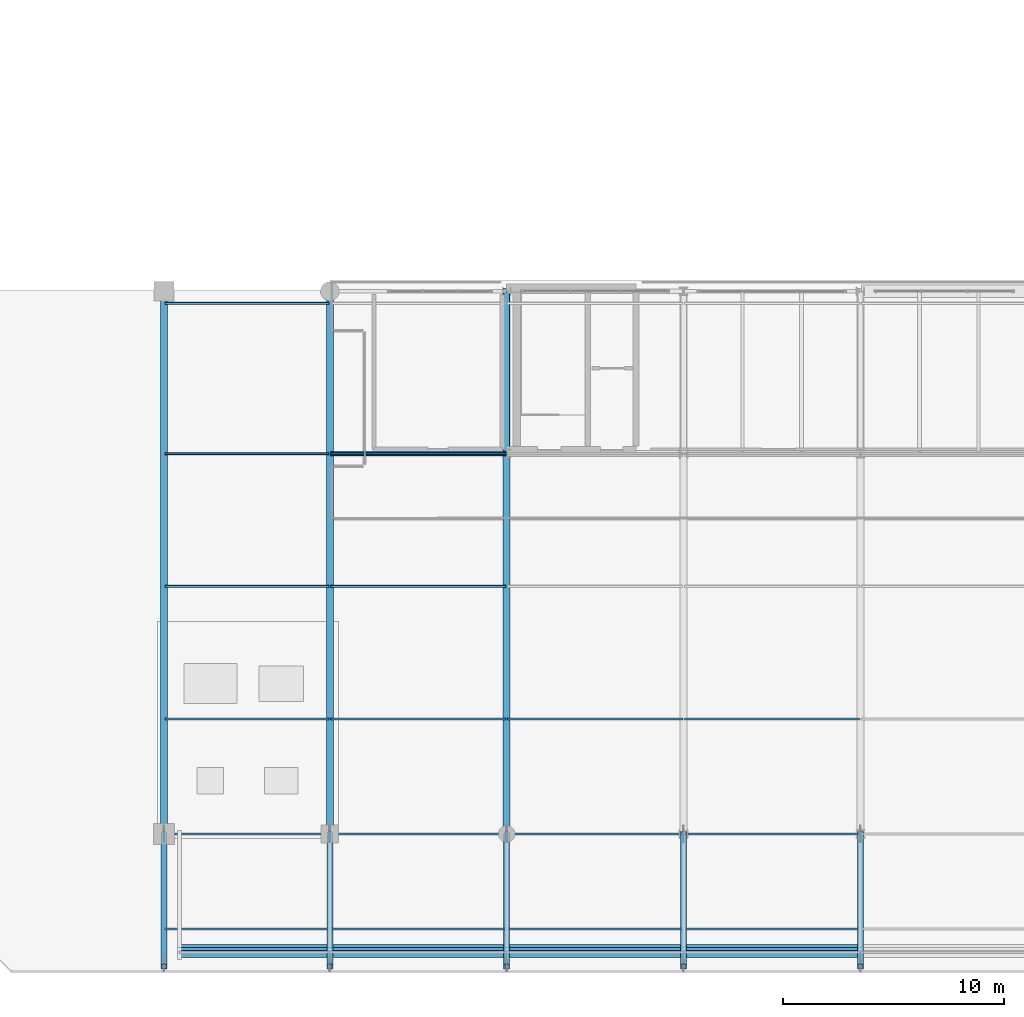
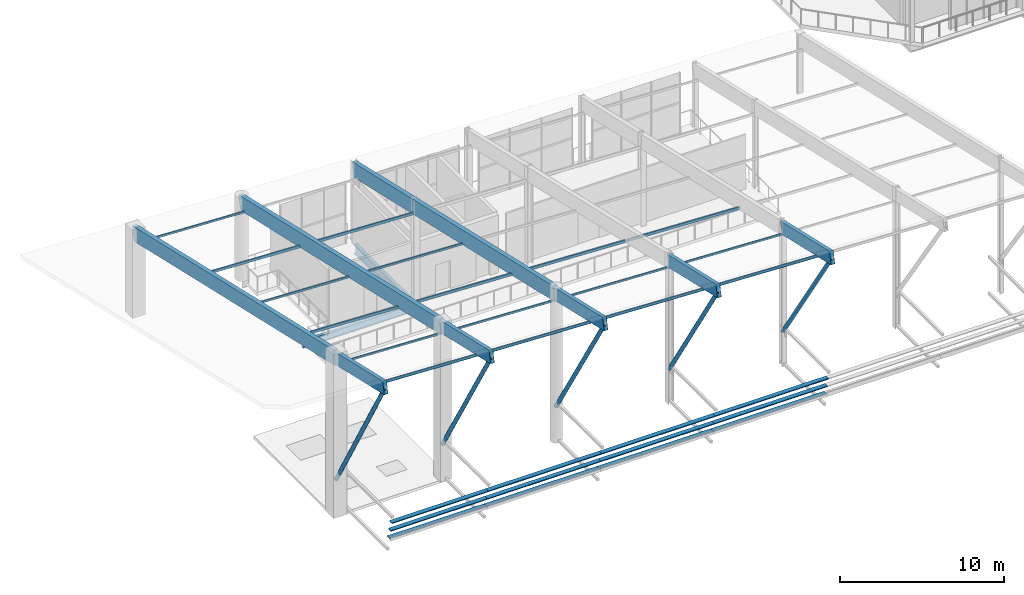
# One storey, part 14 of 51: 34 members, 10 beams.
"""IFC4 building model written with IfcOpenShell, lengths in metres."""

import ifcopenshell
import ifcopenshell.guid

model = None  # the IFC model being written
_history = None  # IfcOwnerHistory: only IFC2X3 demands one
_inside = {}  # id of a spatial element -> (the spatial element, [elements in it])
_under = {}  # id of a project, library or spatial element -> (it, [spatial elements below it])
_declared = {}  # id of a project -> (the project, [libraries it declares])
_typed = {}  # id of a type object -> (the type object, [elements of that type])
_made_of = {}  # id of a material, layer set ... -> (it, [elements and type objects made of it])


def new_model(schema):
    """Start an empty IFC model of exactly this schema.

    Asked for "IFC4X3", IfcOpenShell would pick the latest addendum, in which some entities
    have other attributes; the version numbers below select the first issue.
    IFC2X3 requires an IfcOwnerHistory on every rooted entity: one is made here for all.
    """
    global model, _history
    if schema == "IFC4X3":
        model = ifcopenshell.file(schema_version=(4, 3, 0, 0))
    else:
        model = ifcopenshell.file(schema=schema)
    _inside.clear()
    _under.clear()
    _declared.clear()
    _typed.clear()
    _made_of.clear()
    _history = None
    if model.schema == "IFC2X3":
        org = make("IfcOrganization", Name="unknown")
        user = make(
            "IfcPersonAndOrganization",
            ThePerson=make("IfcPerson", FamilyName="unknown"),
            TheOrganization=org,
        )
        app = make(
            "IfcApplication",
            ApplicationDeveloper=org,
            Version="unknown",
            ApplicationFullName="unknown",
            ApplicationIdentifier="unknown",
        )
        _history = make(
            "IfcOwnerHistory",
            OwningUser=user,
            OwningApplication=app,
            ChangeAction="ADDED",
            CreationDate=0,
        )
    return model


def make(cls, **values):
    """One entity of the class cls with the attributes given. An attribute that is None is left unset."""
    return model.create_entity(
        cls, **{name: value for name, value in values.items() if value is not None}
    )


def rooted(cls, **values):
    """An entity with a GlobalId (a new one), such as an element, a storey or a relation."""
    return make(cls, GlobalId=ifcopenshell.guid.new(), OwnerHistory=_history, **values)


def si_unit(unit_type, name, prefix=None):
    """IfcSIUnit, for example si_unit("LENGTHUNIT", "METRE", prefix="MILLI")."""
    return make("IfcSIUnit", UnitType=unit_type, Prefix=prefix, Name=name)


def assignment(units):
    """IfcUnitAssignment: the units of a project."""
    return None if units is None else make("IfcUnitAssignment", Units=units)


def point(xyz):
    """IfcCartesianPoint."""
    return None if xyz is None else make("IfcCartesianPoint", Coordinates=xyz)


def direction(xyz):
    """IfcDirection."""
    return None if xyz is None else make("IfcDirection", DirectionRatios=xyz)


def frame(location, z_axis=None, x_axis=None):
    """IfcAxis2Placement3D, a coordinate frame: its origin and axes. An axis left out is left unset."""
    return make(
        "IfcAxis2Placement3D",
        Location=point(location),
        Axis=direction(z_axis),
        RefDirection=direction(x_axis),
    )


def frame_2d(location, x_axis=None):
    """IfcAxis2Placement2D, a coordinate frame in the plane: its origin and x axis."""
    return make(
        "IfcAxis2Placement2D", Location=point(location), RefDirection=direction(x_axis)
    )


def origin():
    """The frame at (0, 0, 0) with its axes left unset."""
    return frame((0.0, 0.0, 0.0))


def origin_2d():
    """The frame at (0, 0) in the plane with its x axis left unset."""
    return frame_2d((0.0, 0.0))


def place(relative_to, where):
    """IfcLocalPlacement: puts the frame where relative to a parent placement (None: the world)."""
    return make(
        "IfcLocalPlacement", PlacementRelTo=relative_to, RelativePlacement=where
    )


def context(
    kind, dimensions, precision=None, world=None, true_north=None, identifier=None
):
    """IfcGeometricRepresentationContext, for example the 3D "Model" context."""
    return make(
        "IfcGeometricRepresentationContext",
        ContextIdentifier=identifier,
        ContextType=kind,
        CoordinateSpaceDimension=dimensions,
        Precision=precision,
        WorldCoordinateSystem=world,
        TrueNorth=true_north,
    )


def subcontext(parent, identifier, kind, view, scale=None):
    """IfcGeometricRepresentationSubContext, for example "Body" below "Model"."""
    return make(
        "IfcGeometricRepresentationSubContext",
        ContextIdentifier=identifier,
        ContextType=kind,
        ParentContext=parent,
        TargetScale=scale,
        TargetView=view,
    )


def project(units=None, contexts=None):
    """IfcProject with its units and contexts."""
    return rooted(
        "IfcProject",
        Name="project",
        RepresentationContexts=contexts,
        UnitsInContext=assignment(units),
    )


def spatial(cls, under=None, at=None, **own):
    """A site, building, storey or space (cls), placed at a placement, below another one or the project."""
    s = rooted(cls, ObjectPlacement=at, **own)
    if under is not None:
        _under.setdefault(under.id(), (under, []))[1].append(s)
    return s


def profile(cls, at=None, kind="AREA", **sizes):
    """A parametric profile (cls). Its sizes go by their IFC names, for example OverallWidth=200.0."""
    return make(cls, ProfileType=kind, Position=at, **sizes)


def rectangle(**sizes):
    """IfcRectangleProfileDef."""
    return profile("IfcRectangleProfileDef", **sizes)


def hollow_rectangle(**sizes):
    """IfcRectangleHollowProfileDef."""
    return profile("IfcRectangleHollowProfileDef", **sizes)


def hollow_circle(**sizes):
    """IfcCircleHollowProfileDef."""
    return profile("IfcCircleHollowProfileDef", **sizes)


def i_section(**sizes):
    """IfcIShapeProfileDef."""
    return profile("IfcIShapeProfileDef", **sizes)


def extrude(swept, where, along, depth):
    """IfcExtrudedAreaSolid: the profile swept, set in the frame where, extruded along a direction by depth."""
    return make(
        "IfcExtrudedAreaSolid",
        SweptArea=swept,
        Position=where,
        ExtrudedDirection=direction(along),
        Depth=depth,
    )


def shape(context_of_items, identifier, shape_type, items):
    """IfcShapeRepresentation: the items that make up one representation, for example the "Body"."""
    return make(
        "IfcShapeRepresentation",
        ContextOfItems=context_of_items,
        RepresentationIdentifier=identifier,
        RepresentationType=shape_type,
        Items=items,
    )


def material(Name=None, Category=None):
    """IfcMaterial."""
    return make("IfcMaterial", Name=Name, Category=Category)


def material_profile(
    of_material, cross_section, Name=None, Category=None, Priority=None
):
    """IfcMaterialProfile: a cross section and its material."""
    return make(
        "IfcMaterialProfile",
        Name=Name,
        Material=of_material,
        Profile=cross_section,
        Priority=Priority,
        Category=Category,
    )


def profile_set(profiles, Name=None, composite=None):
    """IfcMaterialProfileSet."""
    return make(
        "IfcMaterialProfileSet",
        Name=Name,
        MaterialProfiles=profiles,
        CompositeProfile=composite,
    )


def made_of(thing, what):
    """Note that an element or type object is made of a material, layer set ...; save() writes the relation."""
    if what is not None:
        _made_of.setdefault(what.id(), (what, []))[1].append(thing)
    return thing


def type_object(cls, material=None, **own):
    """A type object (cls), such as IfcWallType, which elements share."""
    return made_of(rooted(cls, **own), material)


def element(
    cls,
    number,
    at=None,
    inside=None,
    cuts=None,
    type_object=None,
    material=None,
    context=None,
    identifier="Body",
    shape_type=None,
    held_by="IfcProductDefinitionShape",
    body=None,
    shapes=None,
    **own,
):
    """One element of the class cls, such as IfcWall. Its Tag is "e" and its number.

    at: its placement. inside: the storey or other place that contains it. cuts: it is an
    opening in that element (IfcRelVoidsElement). A single representation is given by context,
    identifier, shape_type and body (its items); several are given by shapes. held_by: the class
    of the entity that holds the representations. save() writes the other relations.
    """
    e = rooted(cls, Tag="e%d" % number, ObjectPlacement=at, **own)
    if body is not None:
        shapes = [shape(context, identifier, shape_type, body)]
    if shapes is not None:
        e.Representation = make(held_by, Representations=shapes)
    if inside is not None:
        _inside.setdefault(inside.id(), (inside, []))[1].append(e)
    if cuts is not None:
        rooted(
            "IfcRelVoidsElement", RelatingBuildingElement=cuts, RelatedOpeningElement=e
        )
    if type_object is not None:
        _typed.setdefault(type_object.id(), (type_object, []))[1].append(e)
    return made_of(e, material)


def aggregate(whole, parts):
    """IfcRelAggregates: a whole, such as a stair, and the parts it consists of."""
    return rooted("IfcRelAggregates", RelatingObject=whole, RelatedObjects=parts)


def save(model, path):
    """Write the relations noted so far, then the file.

    IfcRelAggregates (storeys below a building ...), IfcRelContainedInSpatialStructure (elements
    in a storey), IfcRelDefinesByType, IfcRelAssociatesMaterial and IfcRelDeclares: one each for
    every whole, place, type object, material and project.
    """
    for whole, parts in _under.values():
        aggregate(whole, parts)
    for where, things in _inside.values():
        rooted(
            "IfcRelContainedInSpatialStructure",
            RelatedElements=things,
            RelatingStructure=where,
        )
    for kind, things in _typed.values():
        rooted("IfcRelDefinesByType", RelatedObjects=things, RelatingType=kind)
    for what, things in _made_of.values():
        rooted("IfcRelAssociatesMaterial", RelatedObjects=things, RelatingMaterial=what)
    for by, libraries in _declared.values():
        rooted("IfcRelDeclares", RelatingContext=by, RelatedDefinitions=libraries)
    model.write(path)


model = new_model("IFC4")

# Units and contexts
model_context = context("Model", 3, precision=1e-05, world=origin(), true_north=direction((0.0, 1.0)))
body_context = subcontext(model_context, "Body", "Model", "MODEL_VIEW")
ifc_project = project(units=[si_unit("LENGTHUNIT", "METRE"), si_unit("AREAUNIT", "SQUARE_METRE"), si_unit("VOLUMEUNIT", "CUBIC_METRE"), si_unit("PLANEANGLEUNIT", "RADIAN"), si_unit("MASSUNIT", "GRAM", prefix="KILO")], contexts=[model_context])

# Site, building, storey
site_placement = place(None, origin())
site = spatial("IfcSite", under=ifc_project, at=site_placement, CompositionType="ELEMENT")
building_placement = place(site_placement, origin())
building = spatial("IfcBuilding", under=site, at=building_placement, Name="Brisemont Oceanarium", CompositionType="ELEMENT")
storey_placement = place(building_placement, frame((0.0, 0.0, 15.0)))
storey = spatial("IfcBuildingStorey", under=building, at=storey_placement, Name="L03", CompositionType="ELEMENT", Elevation=15.0)

# Beams
ifc_material_1 = material(Name="Glulam Timber 24F-V4 DF", Category="wood")
ifc_material_profile_1 = material_profile(ifc_material_1, rectangle(XDim=0.27294921875, YDim=0.9140625, at=origin_2d()), Name="GL-273X914")
ifc_profile_set_1 = profile_set([ifc_material_profile_1], Name="Glulam Timber 24F-V4 DF")
beam_type_1 = type_object("IfcBeamType", Name="BM-GL273X914", PredefinedType="BEAM", material=ifc_profile_set_1)
for number, where, z_axis, x_axis, name in (
    (1, (8.5, 0.800048828125, 12.962646484375), (0.0, 0.974792736312, -0.223112351146), (-1.0, 0.0, 0.0), "V2 upswept hall cantilevered prow rafter 1"),
    (2, (16.0, 0.800048828125, 12.64208984375), (0.0, 0.974792736312, -0.223112351146), (-1.0, 0.0, 0.0), "V2 upswept hall cantilevered prow rafter 2"),
    (3, (24.0, 0.800048828125, 12.30029296875), (0.0, 0.974792736312, -0.223112351146), (-1.0, 0.0, 0.0), "V2 upswept hall cantilevered prow rafter 3"),
    (4, (32.0, 0.800048828125, 11.95849609375), (0.0, 0.974792736312, -0.223112351146), (-1.0, 0.0, 0.0), "V2 upswept hall cantilevered prow rafter 4"),
    (5, (40.0, 0.800048828125, 11.61669921875), (0.0, 0.974792736312, -0.223112351146), (-1.0, 0.0, 0.0), "V2 upswept hall cantilevered prow rafter 5"),
):
    element("IfcBeam", number, at=place(storey_placement, frame(where, z_axis=z_axis, x_axis=x_axis)), inside=storey, type_object=beam_type_1, Name=name, PredefinedType="BEAM", context=body_context, shape_type="SweptSolid", body=[
        extrude(rectangle(XDim=0.27294921875, YDim=0.9140625, at=origin_2d()), origin(), (0.0, 0.0, 1.0), 6.1552734375),
    ])
ifc_material_2 = material(Name="Glulam Timber 24F-V4 DF", Category="wood")
ifc_material_profile_2 = material_profile(ifc_material_2, rectangle(XDim=0.31103515625, YDim=1.06689453125, at=origin_2d()), Name="GL-311X1067")
ifc_profile_set_2 = profile_set([ifc_material_profile_2], Name="Glulam Timber 24F-V4 DF")
beam_type_2 = type_object("IfcBeamType", Name="BM-GL311X1067", PredefinedType="BEAM", material=ifc_profile_set_2)
for number, where, z_axis, x_axis, name in (
    (6, (8.5, 6.800048828125, 11.58935546875), (0.0, 0.974787825359, -0.22313380634), (-1.0, 0.0, 0.0), "V2 upswept hall exposed glulam main rafter 1"),
    (7, (16.0, 6.800048828125, 11.268798828125), (0.0, 0.974789933818, -0.223124595072), (-1.0, 0.0, 0.0), "V2 upswept hall exposed glulam main rafter 2"),
    (8, (24.0, 6.800048828125, 10.927001953125), (0.0, 0.974789933818, -0.223124595072), (-1.0, 0.0, 0.0), "V2 upswept hall exposed glulam main rafter 3"),
):
    element("IfcBeam", number, at=place(storey_placement, frame(where, z_axis=z_axis, x_axis=x_axis)), inside=storey, type_object=beam_type_2, Name=name, PredefinedType="BEAM", context=body_context, shape_type="SweptSolid", body=[
        extrude(rectangle(XDim=0.31103515625, YDim=1.06689453125, at=origin_2d()), origin(), (0.0, 0.0, 1.0), 25.18505859375),
    ])
ifc_material_3 = material(Name="Structural Steel ASTM A992 Gr.50", Category="steel")
ifc_material_profile_3 = material_profile(ifc_material_3, i_section(OverallWidth=0.2099609375, OverallDepth=0.532958984375, WebThickness=0.01025390625, FlangeThickness=0.015625, FilletRadius=0.012939453125, at=origin_2d()), Name="W21X62")
ifc_profile_set_3 = profile_set([ifc_material_profile_3], Name="Structural Steel ASTM A992 Gr.50")
beam_type_3 = type_object("IfcBeamType", Name="BM-W21X62", PredefinedType="BEAM", material=ifc_profile_set_3)
beam_1_placement = place(storey_placement, frame((16.0400390625, 24.0, -0.506591796875), z_axis=(1.0, 0.0, 0.0), x_axis=(0.0, 1.0, 0.0)))
element("IfcBeam", 9, at=beam_1_placement, inside=storey, type_object=beam_type_3, Name="V2 L03 EW girder", PredefinedType="BEAM", context=body_context, shape_type="SweptSolid", body=[
    extrude(i_section(OverallWidth=0.2099609375, OverallDepth=0.532958984375, WebThickness=0.01025390625, FlangeThickness=0.015625, FilletRadius=0.012939453125, at=origin_2d()), origin(), (0.0, 0.0, 1.0), 7.919921875),
])
ifc_material_4 = material(Name="Structural Steel ASTM A992 Gr.50", Category="steel")
ifc_material_profile_4 = material_profile(ifc_material_4, i_section(OverallWidth=0.25390625, OverallDepth=0.68310546875, WebThickness=0.012451171875, FlangeThickness=0.018798828125, FilletRadius=0.014892578125, at=origin_2d()), Name="W27X94")
ifc_profile_set_4 = profile_set([ifc_material_profile_4], Name="Structural Steel ASTM A992 Gr.50")
beam_type_4 = type_object("IfcBeamType", Name="BM-W27X94", PredefinedType="BEAM", material=ifc_profile_set_4)
beam_2_placement = place(storey_placement, frame((24.0, 24.0400390625, -0.58154296875), z_axis=(0.0, 1.0, 0.0), x_axis=(-1.0, 0.0, 0.0)))
element("IfcBeam", 10, at=beam_2_placement, inside=storey, type_object=beam_type_4, Name="V2 L03 NS girder", PredefinedType="BEAM", context=body_context, shape_type="SweptSolid", body=[
    extrude(i_section(OverallWidth=0.25390625, OverallDepth=0.68310546875, WebThickness=0.012451171875, FlangeThickness=0.018798828125, FilletRadius=0.014892578125, at=origin_2d()), origin(), (0.0, 0.0, 1.0), 7.27001953125),
])

# Members
ifc_material_5 = material(Name="Architectural Bronze-Anodized Cedar Composite")
ifc_material_profile_5 = material_profile(ifc_material_5, rectangle(XDim=0.320068359375, YDim=0.06494140625, at=origin_2d()), Name="LOUVRE-320X65")
ifc_profile_set_5 = profile_set([ifc_material_profile_5], Name="Architectural Bronze-Anodized Cedar Composite")
member_type_1 = type_object("IfcMemberType", Name="MEM-LV-320", PredefinedType="USERDEFINED", material=ifc_profile_set_5)
for number, where, z_axis, x_axis, name in (
    (11, (9.199951171875, 1.63720703125, 1.030029296875), (1.0, 0.0, 0.0), (0.0, 1.0, 0.0), "V2 stepped horizontal louvre blade T6.1.1"),
    (12, (9.199951171875, 1.505126953125, 1.679931640625), (1.0, 0.0, 0.0), (0.0, 1.0, 0.0), "V2 stepped horizontal louvre blade T6.1.2"),
    (13, (9.199951171875, 1.372802734375, 2.330078125), (1.0, 0.0, 0.0), (0.0, 1.0, 0.0), "V2 stepped horizontal louvre blade T6.1.3"),
):
    element("IfcMember", number, at=place(storey_placement, frame(where, z_axis=z_axis, x_axis=x_axis)), inside=storey, type_object=member_type_1, Name=name, ObjectType="LOUVRE_BLADE", PredefinedType="USERDEFINED", context=body_context, shape_type="SweptSolid", body=[
        extrude(rectangle(XDim=0.320068359375, YDim=0.06494140625, at=origin_2d()), origin(), (0.0, 0.0, 1.0), 6.800048828125),
    ])
for number, where, z_axis, x_axis, name in (
    (14, (16.0, 1.63720703125, 1.030029296875), (1.0, 0.0, 0.0), (0.0, 1.0, 0.0), "V2 stepped horizontal louvre blade T6.2.1"),
    (15, (16.0, 1.505126953125, 1.679931640625), (1.0, 0.0, 0.0), (0.0, 1.0, 0.0), "V2 stepped horizontal louvre blade T6.2.2"),
    (16, (16.0, 1.372802734375, 2.330078125), (1.0, 0.0, 0.0), (0.0, 1.0, 0.0), "V2 stepped horizontal louvre blade T6.2.3"),
    (17, (24.0, 1.63720703125, 1.030029296875), (1.0, 0.0, 0.0), (0.0, 1.0, 0.0), "V2 stepped horizontal louvre blade T6.3.1"),
    (18, (24.0, 1.505126953125, 1.679931640625), (1.0, 0.0, 0.0), (0.0, 1.0, 0.0), "V2 stepped horizontal louvre blade T6.3.2"),
    (19, (24.0, 1.372802734375, 2.330078125), (1.0, 0.0, 0.0), (0.0, 1.0, 0.0), "V2 stepped horizontal louvre blade T6.3.3"),
    (20, (32.0, 1.63720703125, 1.030029296875), (1.0, 0.0, 0.0), (0.0, 1.0, 0.0), "V2 stepped horizontal louvre blade T6.4.1"),
    (21, (32.0, 1.505126953125, 1.679931640625), (1.0, 0.0, 0.0), (0.0, 1.0, 0.0), "V2 stepped horizontal louvre blade T6.4.2"),
    (22, (32.0, 1.372802734375, 2.330078125), (1.0, 0.0, 0.0), (0.0, 1.0, 0.0), "V2 stepped horizontal louvre blade T6.4.3"),
):
    element("IfcMember", number, at=place(storey_placement, frame(where, z_axis=z_axis, x_axis=x_axis)), inside=storey, type_object=member_type_1, Name=name, ObjectType="LOUVRE_BLADE", PredefinedType="USERDEFINED", context=body_context, shape_type="SweptSolid", body=[
        extrude(rectangle(XDim=0.320068359375, YDim=0.06494140625, at=origin_2d()), origin(), (0.0, 0.0, 1.0), 8.0),
    ])
ifc_material_6 = material(Name="Structural Steel ASTM A500 Gr.C", Category="steel")
ifc_material_profile_6 = material_profile(ifc_material_6, hollow_rectangle(XDim=0.10205078125, YDim=0.152099609375, WallThickness=0.00732421875, InnerFilletRadius=0.007568359375, OuterFilletRadius=0.014892578125, at=origin_2d()), Name="HSS6X4X5/16")
ifc_profile_set_6 = profile_set([ifc_material_profile_6], Name="Structural Steel ASTM A500 Gr.C")
member_type_2 = type_object("IfcMemberType", Name="MEM-PU-HSS6X4", PredefinedType="PURLIN", material=ifc_profile_set_6)
for number, where, z_axis, x_axis, name in (
    (23, (8.5400390625, 6.800048828125, 11.10302734375), (0.999087831219, 0.0, -0.042702523452), (0.0, 1.0, 0.0), "V2 upswept roof steel purlin 1.2"),
    (24, (8.5400390625, 18.0, 8.539306640625), (0.999089233178, 0.0, -0.042669709946), (0.0, 1.0, 0.0), "V2 upswept roof steel purlin 1.4"),
    (25, (8.5400390625, 30.800048828125, 5.609619140625), (0.999087831219, 0.0, -0.042702523452), (0.0, 1.0, 0.0), "V2 upswept roof steel purlin 1.6"),
):
    element("IfcMember", number, at=place(storey_placement, frame(where, z_axis=z_axis, x_axis=x_axis)), inside=storey, type_object=member_type_2, Name=name, PredefinedType="PURLIN", context=body_context, shape_type="SweptSolid", body=[
        extrude(hollow_rectangle(XDim=0.10205078125, YDim=0.152099609375, WallThickness=0.00732421875, InnerFilletRadius=0.007568359375, OuterFilletRadius=0.014892578125, at=origin_2d()), origin(), (0.0, 0.0, 1.0), 7.4267578125),
    ])
for number, where, z_axis, x_axis, name in (
    (26, (16.0400390625, 6.800048828125, 10.782470703125), (0.999088533543, 0.0, -0.042686088394), (0.0, 1.0, 0.0), "V2 upswept roof steel purlin 2.2"),
    (27, (16.0400390625, 18.0, 8.218994140625), (0.999088533543, 0.0, -0.042686088394), (0.0, 1.0, 0.0), "V2 upswept roof steel purlin 2.4"),
    (28, (24.0400390625, 6.800048828125, 10.440673828125), (0.999088533543, 0.0, -0.042686088394), (0.0, 1.0, 0.0), "V2 upswept roof steel purlin 3.2"),
    (29, (32.0400390625, 6.800048828125, 10.098876953125), (0.999088533543, 0.0, -0.042686088394), (0.0, 1.0, 0.0), "V2 upswept roof steel purlin 4.2"),
):
    element("IfcMember", number, at=place(storey_placement, frame(where, z_axis=z_axis, x_axis=x_axis)), inside=storey, type_object=member_type_2, Name=name, PredefinedType="PURLIN", context=body_context, shape_type="SweptSolid", body=[
        extrude(hollow_rectangle(XDim=0.10205078125, YDim=0.152099609375, WallThickness=0.00732421875, InnerFilletRadius=0.007568359375, OuterFilletRadius=0.014892578125, at=origin_2d()), origin(), (0.0, 0.0, 1.0), 7.92724609375),
    ])
ifc_material_7 = material(Name="Structural Steel ASTM A500 Gr.C", Category="steel")
ifc_material_profile_7 = material_profile(ifc_material_7, hollow_rectangle(XDim=0.10205078125, YDim=0.202880859375, WallThickness=0.00732421875, InnerFilletRadius=0.007568359375, OuterFilletRadius=0.014892578125, at=origin_2d()), Name="HSS8X4X5/16")
ifc_profile_set_7 = profile_set([ifc_material_profile_7], Name="Structural Steel ASTM A500 Gr.C")
member_type_3 = type_object("IfcMemberType", Name="MEM-PU-HSS8X4", PredefinedType="PURLIN", material=ifc_profile_set_7)
for number, where, z_axis, x_axis, name in (
    (30, (8.5400390625, 2.5, 12.08740234375), (0.999087831219, 0.0, -0.042702523452), (0.0, 1.0, 0.0), "V2 upswept roof steel purlin 1.1"),
    (31, (8.5400390625, 12.0, 9.912841796875), (0.999087831219, 0.0, -0.042702523452), (0.0, 1.0, 0.0), "V2 upswept roof steel purlin 1.3"),
    (32, (8.5400390625, 24.0, 7.166015625), (0.999089233178, 0.0, -0.042669709946), (0.0, 1.0, 0.0), "V2 upswept roof steel purlin 1.5"),
):
    element("IfcMember", number, at=place(storey_placement, frame(where, z_axis=z_axis, x_axis=x_axis)), inside=storey, type_object=member_type_3, Name=name, PredefinedType="PURLIN", context=body_context, shape_type="SweptSolid", body=[
        extrude(hollow_rectangle(XDim=0.10205078125, YDim=0.202880859375, WallThickness=0.00732421875, InnerFilletRadius=0.007568359375, OuterFilletRadius=0.014892578125, at=origin_2d()), origin(), (0.0, 0.0, 1.0), 7.4267578125),
    ])
for number, where, z_axis, x_axis, name in (
    (33, (16.0400390625, 2.5, 11.766845703125), (0.999088533543, 0.0, -0.042686088394), (0.0, 1.0, 0.0), "V2 upswept roof steel purlin 2.1"),
    (34, (16.0400390625, 12.0, 9.59228515625), (0.999088533543, 0.0, -0.042686088394), (0.0, 1.0, 0.0), "V2 upswept roof steel purlin 2.3"),
    (35, (16.0400390625, 24.0, 6.845458984375), (0.999088533543, 0.0, -0.042686088394), (0.0, 1.0, 0.0), "V2 upswept roof steel purlin 2.5"),
    (36, (24.0400390625, 2.5, 11.425048828125), (0.999088533543, 0.0, -0.042686088394), (0.0, 1.0, 0.0), "V2 upswept roof steel purlin 3.1"),
    (37, (24.0400390625, 12.0, 9.25048828125), (0.999088533543, 0.0, -0.042686088394), (0.0, 1.0, 0.0), "V2 upswept roof steel purlin 3.3"),
    (38, (32.0400390625, 2.5, 11.083251953125), (0.999088533543, 0.0, -0.042686088394), (0.0, 1.0, 0.0), "V2 upswept roof steel purlin 4.1"),
    (39, (32.0400390625, 12.0, 8.90869140625), (0.999088533543, 0.0, -0.042686088394), (0.0, 1.0, 0.0), "V2 upswept roof steel purlin 4.3"),
):
    element("IfcMember", number, at=place(storey_placement, frame(where, z_axis=z_axis, x_axis=x_axis)), inside=storey, type_object=member_type_3, Name=name, PredefinedType="PURLIN", context=body_context, shape_type="SweptSolid", body=[
        extrude(hollow_rectangle(XDim=0.10205078125, YDim=0.202880859375, WallThickness=0.00732421875, InnerFilletRadius=0.007568359375, OuterFilletRadius=0.014892578125, at=origin_2d()), origin(), (0.0, 0.0, 1.0), 7.92724609375),
    ])
ifc_material_8 = material(Name="Structural Steel ASTM A500 Gr.C", Category="steel")
ifc_material_profile_8 = material_profile(ifc_material_8, hollow_circle(Radius=0.136474609375, WallThickness=0.01171875, at=origin_2d()), Name="HSS10.750X0.500")
ifc_profile_set_8 = profile_set([ifc_material_profile_8], Name="Structural Steel ASTM A500 Gr.C")
member_type_4 = type_object("IfcMemberType", Name="MEM-ST-CHS10", PredefinedType="STRUT", material=ifc_profile_set_8)
member_1_placement = place(storey_placement, frame((8.5, 6.800048828125, 2.5), z_axis=(0.0, -0.496938393883, 0.867785821897), x_axis=(1.0, 0.0, 0.0)))
element("IfcMember", 40, at=member_1_placement, inside=storey, type_object=member_type_4, Name="V2 upswept corner overhang diagonal strut 1", PredefinedType="STRUT", context=body_context, shape_type="SweptSolid", body=[
    extrude(hollow_circle(Radius=0.136474609375, WallThickness=0.01171875, at=origin_2d()), origin(), (0.0, 0.0, 1.0), 12.03369140625),
])
member_2_placement = place(storey_placement, frame((16.0, 6.800048828125, 2.5), z_axis=(0.0, -0.508641857069, 0.86097820021), x_axis=(1.0, 0.0, 0.0)))
element("IfcMember", 41, at=member_2_placement, inside=storey, type_object=member_type_4, Name="V2 upswept corner overhang diagonal strut 2", PredefinedType="STRUT", context=body_context, shape_type="SweptSolid", body=[
    extrude(hollow_circle(Radius=0.136474609375, WallThickness=0.01171875, at=origin_2d()), origin(), (0.0, 0.0, 1.0), 11.7568359375),
])
member_3_placement = place(storey_placement, frame((24.0, 6.800048828125, 2.5), z_axis=(0.0, -0.521640374253, 0.853165470439), x_axis=(1.0, 0.0, 0.0)))
element("IfcMember", 42, at=member_3_placement, inside=storey, type_object=member_type_4, Name="V2 upswept corner overhang diagonal strut 3", PredefinedType="STRUT", context=body_context, shape_type="SweptSolid", body=[
    extrude(hollow_circle(Radius=0.136474609375, WallThickness=0.01171875, at=origin_2d()), origin(), (0.0, 0.0, 1.0), 11.4638671875),
])
member_4_placement = place(storey_placement, frame((32.0, 6.800048828125, 2.5), z_axis=(0.0, -0.535197625406, 0.844726879979), x_axis=(1.0, 0.0, 0.0)))
element("IfcMember", 43, at=member_4_placement, inside=storey, type_object=member_type_4, Name="V2 upswept corner overhang diagonal strut 4", PredefinedType="STRUT", context=body_context, shape_type="SweptSolid", body=[
    extrude(hollow_circle(Radius=0.136474609375, WallThickness=0.01171875, at=origin_2d()), origin(), (0.0, 0.0, 1.0), 11.17333984375),
])
member_5_placement = place(storey_placement, frame((40.0, 6.800048828125, 2.5), z_axis=(0.0, -0.549316606787, 0.835614304274), x_axis=(1.0, 0.0, 0.0)))
element("IfcMember", 44, at=member_5_placement, inside=storey, type_object=member_type_4, Name="V2 upswept corner overhang diagonal strut 5", PredefinedType="STRUT", context=body_context, shape_type="SweptSolid", body=[
    extrude(hollow_circle(Radius=0.136474609375, WallThickness=0.01171875, at=origin_2d()), origin(), (0.0, 0.0, 1.0), 10.88623046875),
])

save(model, "model.ifc")
